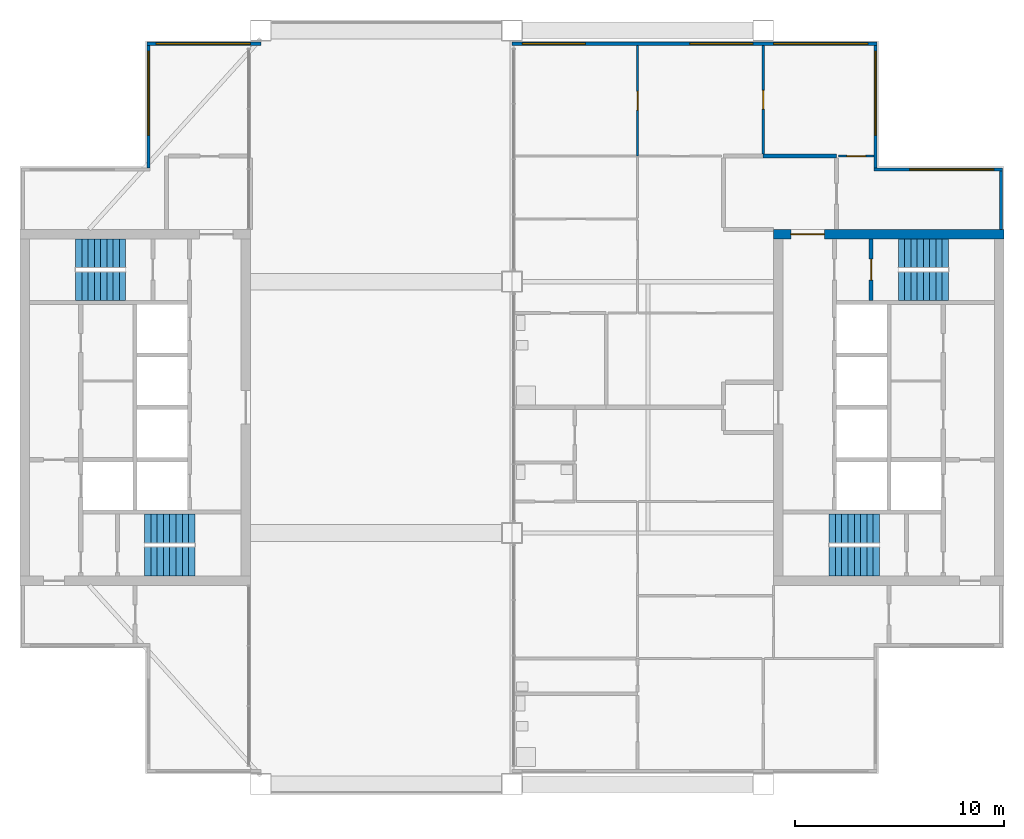
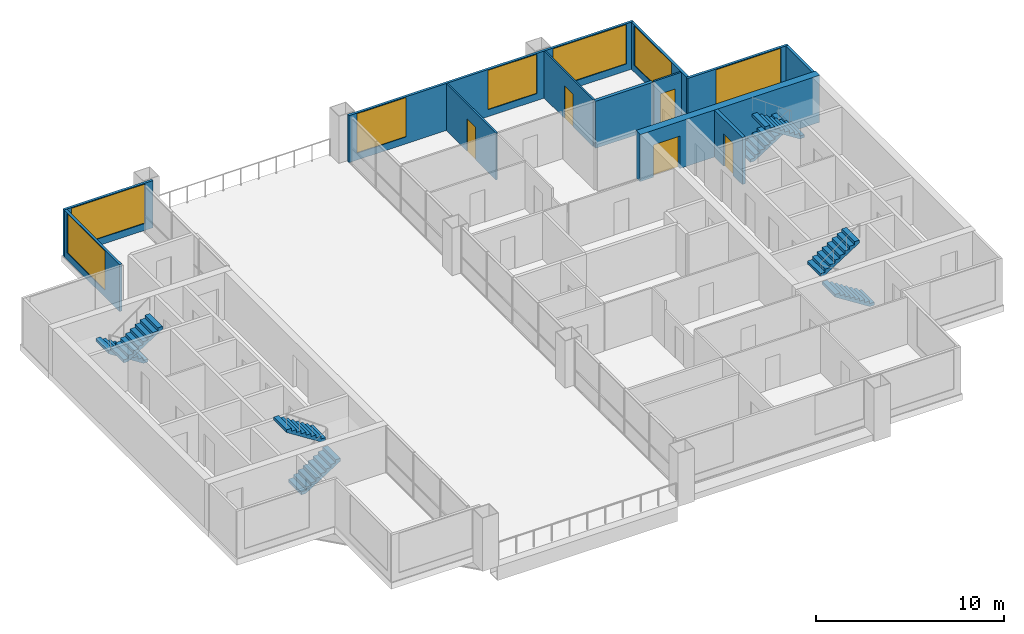
# One storey, part 10 of 12: 12 walls, 8 stair flights, 7 windows, 5 doors, 12 openings, 4 elements without a shape of their own.
"""IFC4 building model written with IfcOpenShell, lengths in metres."""

from ifc_helpers import new_model, si_unit, direction, frame, frame_2d, origin, place, context, subcontext, project, spatial, polyline, rectangle, outline, extrude, material, layer, layer_set, type_object, element, fill, aggregate, save


model = new_model("IFC4")

# Units and contexts
model_context = context("Model", 3, precision=1e-05, world=origin(), true_north=direction((0.0, 1.0)))
body_context = subcontext(model_context, "Body", "Model", "MODEL_VIEW")
ifc_project = project(units=[si_unit("LENGTHUNIT", "METRE"), si_unit("AREAUNIT", "SQUARE_METRE"), si_unit("VOLUMEUNIT", "CUBIC_METRE"), si_unit("PLANEANGLEUNIT", "RADIAN"), si_unit("MASSUNIT", "GRAM", prefix="KILO")], contexts=[model_context])

# Site, building, storey
site_placement = place(None, origin())
site = spatial("IfcSite", under=ifc_project, at=site_placement, CompositionType="ELEMENT")
building_placement = place(site_placement, origin())
building = spatial("IfcBuilding", under=site, at=building_placement, Name="Kitamizu Gate Tower and Museum", CompositionType="ELEMENT")
storey_placement = place(building_placement, frame((0.0, 0.0, 249.0)))
storey = spatial("IfcBuildingStorey", under=building, at=storey_placement, Name="L67", CompositionType="ELEMENT", Elevation=249.0)

# Wall, opening, door
ifc_material_1 = material(Name="Concrete Fc42", Category="concrete")
ifc_layer_1 = layer(ifc_material_1, 0.449951171875)
ifc_layer_set_1 = layer_set([ifc_layer_1], Name="Concrete Fc42")
wall_type_1 = type_object("IfcWallType", Name="Core wall 450", PredefinedType="SHEAR", material=ifc_layer_set_1)
wall_1_placement = place(storey_placement, frame((59.5, 38.27490234375, 0.0), z_axis=(0.0, 0.0, 1.0), x_axis=(-1.0, 0.0, 0.0)))
wall_1 = element("IfcWall", 1, at=wall_1_placement, inside=storey, type_object=wall_type_1, Name="Core wall EN", PredefinedType="SHEAR", context=body_context, shape_type="SweptSolid", body=[
    extrude(rectangle(XDim=11.0, YDim=0.449951171875, at=frame_2d((5.5, 0.0))), origin(), (0.0, 0.0, 1.0), 3.050048828125),
])
opening_1_placement = place(wall_1_placement, frame((8.574951171875, 0.0, 0.0)))
opening_1 = element("IfcOpeningElement", 2, at=opening_1_placement, cuts=wall_1, Name="Opening L67-039", PredefinedType="OPENING", context=body_context, shape_type="SweptSolid", body=[
    extrude(rectangle(XDim=1.60009765625, YDim=2.10009765625, at=frame_2d((0.800048828125, 1.050048828125))), frame((0.0, 0.23486328125, 0.0), z_axis=(0.0, -1.0, 0.0), x_axis=(1.0, 0.0, 0.0)), (0.0, 0.0, 1.0), 0.469970703125),
])
ifc_material_2 = material(Name="Timber door set", Category="wood")
door_type_1 = type_object("IfcDoorType", Name="Entrance door 1600", OperationType="DOUBLE_DOOR_SINGLE_SWING", PredefinedType="DOOR", material=ifc_material_2)
door_1_placement = place(opening_1_placement, origin())
door_1 = element("IfcDoor", 3, at=door_1_placement, inside=storey, type_object=door_type_1, Name="Lobby door L67-039", OperationType="DOUBLE_DOOR_SINGLE_SWING", OverallHeight=2.10009765625, OverallWidth=1.60009765625, PredefinedType="DOOR", context=body_context, shape_type="SweptSolid", body=[
    extrude(rectangle(XDim=1.60009765625, YDim=2.10009765625, at=frame_2d((0.800048828125, 1.050048828125))), frame((0.0, 0.02490234375, 0.0), z_axis=(0.0, -1.0, 0.0), x_axis=(1.0, 0.0, 0.0)), (0.0, 0.0, 1.0), 0.050048828125),
])
fill(opening_1, door_1)

ifc_material_3 = material(Name="Gypsum board on galvanised stud")
ifc_layer_2 = layer(ifc_material_3, 0.10009765625)
ifc_layer_set_2 = layer_set([ifc_layer_2], Name="Gypsum board on galvanised stud")
wall_type_2 = type_object("IfcWallType", Name="Partition 100 NOT RATED", PredefinedType="PARTITIONING", material=ifc_layer_set_2)
wall_2_placement = place(storey_placement, frame((42.0, 42.0, 0.0), z_axis=(0.0, 0.0, 1.0), x_axis=(0.0, 1.0, 0.0)))
wall_2 = element("IfcWall", 4, at=wall_2_placement, inside=storey, type_object=wall_type_2, Name="Partition L67-031", PredefinedType="PARTITIONING", context=body_context, shape_type="SweptSolid", body=[
    extrude(rectangle(XDim=5.280029296875, YDim=0.10009765625, at=frame_2d((2.64013671875, 0.0))), origin(), (0.0, 0.0, 1.0), 3.050048828125),
])
opening_2_placement = place(wall_2_placement, frame((2.18994140625, 0.0, 0.0)))
opening_2 = element("IfcOpeningElement", 5, at=opening_2_placement, cuts=wall_2, Name="Opening L67-017", PredefinedType="OPENING", context=body_context, shape_type="SweptSolid", body=[
    extrude(rectangle(XDim=0.89990234375, YDim=2.10009765625, at=frame_2d((0.449951171875, 1.050048828125))), frame((0.0, 0.06005859375, 0.0), z_axis=(0.0, -1.0, 0.0), x_axis=(1.0, 0.0, 0.0)), (0.0, 0.0, 1.0), 0.1201171875),
])
ifc_material_4 = material(Name="Timber door set", Category="wood")
door_type_2 = type_object("IfcDoorType", Name="Room door 900", OperationType="NOTDEFINED", PredefinedType="DOOR", material=ifc_material_4)
door_2_placement = place(opening_2_placement, origin())
door_2 = element("IfcDoor", 6, at=door_2_placement, inside=storey, type_object=door_type_2, Name="Door L67-017", OperationType="SINGLE_SWING_RIGHT", OverallHeight=2.10009765625, OverallWidth=0.89990234375, PredefinedType="DOOR", context=body_context, shape_type="SweptSolid", body=[
    extrude(rectangle(XDim=0.89990234375, YDim=2.10009765625, at=frame_2d((0.449951171875, 1.050048828125))), frame((0.0, 0.02490234375, 0.0), z_axis=(0.0, -1.0, 0.0), x_axis=(1.0, 0.0, 0.0)), (0.0, 0.0, 1.0), 0.050048828125),
])
fill(opening_2, door_2)

wall_3_placement = place(storey_placement, frame((48.0, 42.10009765625, 0.0), z_axis=(0.0, 0.0, 1.0), x_axis=(0.0, 1.0, 0.0)))
wall_3 = element("IfcWall", 7, at=wall_3_placement, inside=storey, type_object=wall_type_2, Name="Partition L67-033", PredefinedType="PARTITIONING", context=body_context, shape_type="SweptSolid", body=[
    extrude(rectangle(XDim=5.179931640625, YDim=0.10009765625, at=frame_2d((2.58984375, 0.0))), origin(), (0.0, 0.0, 1.0), 3.050048828125),
])
opening_3_placement = place(wall_3_placement, frame((2.139892578125, 0.0, 0.0)))
opening_3 = element("IfcOpeningElement", 8, at=opening_3_placement, cuts=wall_3, Name="Opening L67-014", PredefinedType="OPENING", context=body_context, shape_type="SweptSolid", body=[
    extrude(rectangle(XDim=0.89990234375, YDim=2.10009765625, at=frame_2d((0.449951171875, 1.050048828125))), frame((0.0, 0.06005859375, 0.0), z_axis=(0.0, -1.0, 0.0), x_axis=(1.0, 0.0, 0.0)), (0.0, 0.0, 1.0), 0.1201171875),
])
door_3_placement = place(opening_3_placement, frame((0.89990234375, 0.0, 0.0), x_axis=(-1.0, 0.0, 0.0)))
door_3 = element("IfcDoor", 9, at=door_3_placement, inside=storey, type_object=door_type_2, Name="Door L67-014", OperationType="SINGLE_SWING_RIGHT", OverallHeight=2.10009765625, OverallWidth=0.89990234375, PredefinedType="DOOR", context=body_context, shape_type="SweptSolid", body=[
    extrude(rectangle(XDim=0.89990234375, YDim=2.10009765625, at=frame_2d((0.449951171875, 1.050048828125))), frame((0.0, 0.02490234375, 0.0), z_axis=(0.0, -1.0, 0.0), x_axis=(1.0, 0.0, 0.0)), (0.0, 0.0, 1.0), 0.050048828125),
])
fill(opening_3, door_3)

wall_4_placement = place(storey_placement, frame((51.60009765625, 42.0, 0.0), z_axis=(0.0, 0.0, 1.0), x_axis=(1.0, 0.0, 0.0)))
wall_4 = element("IfcWall", 10, at=wall_4_placement, inside=storey, type_object=wall_type_2, Name="Partition L67-036", PredefinedType="PARTITIONING", context=body_context, shape_type="SweptSolid", body=[
    extrude(rectangle(XDim=1.679931640625, YDim=0.10009765625, at=frame_2d((0.83984375, 0.0))), origin(), (0.0, 0.0, 1.0), 3.050048828125),
])
opening_4_placement = place(wall_4_placement, frame((0.389892578125, 0.0, 0.0)))
opening_4 = element("IfcOpeningElement", 11, at=opening_4_placement, cuts=wall_4, Name="Opening L67-013", PredefinedType="OPENING", context=body_context, shape_type="SweptSolid", body=[
    extrude(rectangle(XDim=0.89990234375, YDim=2.10009765625, at=frame_2d((0.449951171875, 1.050048828125))), frame((0.0, 0.06005859375, 0.0), z_axis=(0.0, -1.0, 0.0), x_axis=(1.0, 0.0, 0.0)), (0.0, 0.0, 1.0), 0.1201171875),
])
door_4_placement = place(opening_4_placement, origin())
door_4 = element("IfcDoor", 12, at=door_4_placement, inside=storey, type_object=door_type_2, Name="Door L67-013", OperationType="SINGLE_SWING_LEFT", OverallHeight=2.10009765625, OverallWidth=0.89990234375, PredefinedType="DOOR", context=body_context, shape_type="SweptSolid", body=[
    extrude(rectangle(XDim=0.89990234375, YDim=2.10009765625, at=frame_2d((0.449951171875, 1.050048828125))), frame((0.0, 0.02490234375, 0.0), z_axis=(0.0, -1.0, 0.0), x_axis=(1.0, 0.0, 0.0)), (0.0, 0.0, 1.0), 0.050048828125),
])
fill(opening_4, door_4)

# Wall
ifc_material_5 = material(Name="Gypsum board on galvanised stud")
ifc_layer_3 = layer(ifc_material_5, 0.199951171875)
ifc_layer_set_3 = layer_set([ifc_layer_3], Name="Gypsum board on galvanised stud")
wall_type_3 = type_object("IfcWallType", Name="Partition 200", PredefinedType="PARTITIONING", material=ifc_layer_set_3)
wall_5_placement = place(storey_placement, frame((48.0, 42.0, 0.0), z_axis=(0.0, 0.0, 1.0), x_axis=(1.0, 0.0, 0.0)))
element("IfcWall", 13, at=wall_5_placement, inside=storey, type_object=wall_type_3, Name="Partition L67-037", PredefinedType="PARTITIONING", context=body_context, shape_type="SweptSolid", body=[
    extrude(rectangle(XDim=3.5, YDim=0.199951171875, at=frame_2d((1.75, 0.0))), origin(), (0.0, 0.0, 1.0), 3.050048828125),
])

# Wall, opening, door
ifc_material_6 = material(Name="Concrete Fc42", Category="concrete")
ifc_layer_4 = layer(ifc_material_6, 0.199951171875)
ifc_layer_set_4 = layer_set([ifc_layer_4], Name="Concrete Fc42")
wall_type_4 = type_object("IfcWallType", Name="Shaft wall 200", PredefinedType="SOLIDWALL", material=ifc_layer_set_4)
wall_6_placement = place(storey_placement, frame((53.14990234375, 35.10009765625, 0.0), z_axis=(0.0, 0.0, 1.0), x_axis=(0.0, 1.0, 0.0)))
wall_6 = element("IfcWall", 14, at=wall_6_placement, inside=storey, type_object=wall_type_4, Name="Shaft wall ENZ", PredefinedType="SOLIDWALL", context=body_context, shape_type="SweptSolid", body=[
    extrude(rectangle(XDim=2.949951171875, YDim=0.199951171875, at=frame_2d((1.47509765625, 0.0))), origin(), (0.0, 0.0, 1.0), 3.050048828125),
])
opening_5_placement = place(wall_6_placement, frame((0.97509765625, 0.0, 0.0)))
opening_5 = element("IfcOpeningElement", 15, at=opening_5_placement, cuts=wall_6, Name="Opening L67-036", PredefinedType="OPENING", context=body_context, shape_type="SweptSolid", body=[
    extrude(rectangle(XDim=1.0, YDim=2.10009765625, at=frame_2d((0.5, 1.050048828125))), frame((0.0, 0.10986328125, 0.0), z_axis=(0.0, -1.0, 0.0), x_axis=(1.0, 0.0, 0.0)), (0.0, 0.0, 1.0), 0.219970703125),
])
ifc_material_7 = material(Name="Hollow metal door set")
door_type_3 = type_object("IfcDoorType", Name="Fire door 1000", OperationType="NOTDEFINED", PredefinedType="DOOR", material=ifc_material_7)
door_5_placement = place(opening_5_placement, frame((1.0, 0.0, 0.0), x_axis=(-1.0, 0.0, 0.0)))
door_5 = element("IfcDoor", 16, at=door_5_placement, inside=storey, type_object=door_type_3, Name="Stair door L67-036", OperationType="SINGLE_SWING_LEFT", OverallHeight=2.10009765625, OverallWidth=1.0, PredefinedType="DOOR", context=body_context, shape_type="SweptSolid", body=[
    extrude(rectangle(XDim=1.0, YDim=2.10009765625, at=frame_2d((0.5, 1.050048828125))), frame((0.0, 0.02490234375, 0.0), z_axis=(0.0, -1.0, 0.0), x_axis=(1.0, 0.0, 0.0)), (0.0, 0.0, 1.0), 0.050048828125),
])
fill(opening_5, door_5)

# Wall
ifc_material_8 = material(Name="Bronze anodised aluminium frame with insulated spandrel and tinted glass", Category="aluminium")
ifc_layer_5 = layer(ifc_material_8, 0.14990234375)
ifc_layer_set_5 = layer_set([ifc_layer_5], Name="Bronze anodised aluminium frame with insulated spandrel and tinted glass")
wall_type_5 = type_object("IfcWallType", Name="WINDOW WALL 150 BRONZE FRAME EI 30", PredefinedType="ELEMENTEDWALL", material=ifc_layer_set_5)
wall_7_placement = place(storey_placement, frame((59.364990234375, 38.5, 0.0), z_axis=(0.0, 0.0, 1.0), x_axis=(0.0, 1.0, 0.0)))
element("IfcWall", 17, at=wall_7_placement, inside=storey, type_object=wall_type_5, Name="Window wall east L67", PredefinedType="ELEMENTEDWALL", context=body_context, shape_type="SweptSolid", body=[
    extrude(rectangle(XDim=2.7900390625, YDim=0.14990234375, at=frame_2d((1.39501953125, 0.0))), origin(), (0.0, 0.0, 1.0), 3.050048828125),
])

# Wall, opening, window
wall_8_placement = place(storey_placement, frame((53.2900390625, 41.364990234375, 0.0), z_axis=(0.0, 0.0, 1.0), x_axis=(1.0, 0.0, 0.0)))
wall_8 = element("IfcWall", 18, at=wall_8_placement, inside=storey, type_object=wall_type_5, Name="Window wall north L67", PredefinedType="ELEMENTEDWALL", context=body_context, shape_type="SweptSolid", body=[
    extrude(rectangle(XDim=6.14990234375, YDim=0.14990234375, at=frame_2d((3.074951171875, 0.0))), origin(), (0.0, 0.0, 1.0), 3.050048828125),
])
opening_6_placement = place(wall_8_placement, frame((1.7099609375, 0.0, 0.449951171875)))
opening_6 = element("IfcOpeningElement", 19, at=opening_6_placement, cuts=wall_8, Name="Opening W16", PredefinedType="OPENING", context=body_context, shape_type="SweptSolid", body=[
    extrude(rectangle(XDim=4.0, YDim=2.550048828125, at=frame_2d((2.0, 1.27490234375))), frame((0.0, 0.0849609375, 0.0), z_axis=(0.0, -1.0, 0.0), x_axis=(1.0, 0.0, 0.0)), (0.0, 0.0, 1.0), 0.169921875),
])
ifc_material_9 = material(Name="Bronze anodised aluminium frame, tinted triple glazing", Category="aluminium")
window_type_1 = type_object("IfcWindowType", Name="WINDOW 4000 x 2550 SILL 450", PartitioningType="SINGLE_PANEL", PredefinedType="WINDOW", material=ifc_material_9)
window_1_placement = place(opening_6_placement, origin())
window_1 = element("IfcWindow", 20, at=window_1_placement, inside=storey, type_object=window_type_1, Name="Window W16 L67", OverallHeight=2.550048828125, OverallWidth=4.0, PartitioningType="SINGLE_PANEL", PredefinedType="WINDOW", context=body_context, shape_type="SweptSolid", body=[
    extrude(rectangle(XDim=4.0, YDim=2.550048828125, at=frame_2d((2.0, 1.27490234375))), frame((0.0, 0.030029296875, 0.0), z_axis=(0.0, -1.0, 0.0), x_axis=(1.0, 0.0, 0.0)), (0.0, 0.0, 1.0), 0.06005859375),
])
fill(opening_6, window_1)

wall_9_placement = place(storey_placement, frame((53.364990234375, 41.43994140625, 0.0), z_axis=(0.0, 0.0, 1.0), x_axis=(0.0, 1.0, 0.0)))
wall_9 = element("IfcWall", 21, at=wall_9_placement, inside=storey, type_object=wall_type_5, Name="Window wall east L67", PredefinedType="ELEMENTEDWALL", context=body_context, shape_type="SweptSolid", body=[
    extrude(rectangle(XDim=5.85009765625, YDim=0.14990234375, at=frame_2d((2.925048828125, 0.0))), origin(), (0.0, 0.0, 1.0), 3.050048828125),
])
opening_7_placement = place(wall_9_placement, frame((1.56005859375, 0.0, 0.449951171875)))
opening_7 = element("IfcOpeningElement", 22, at=opening_7_placement, cuts=wall_9, Name="Opening W16", PredefinedType="OPENING", context=body_context, shape_type="SweptSolid", body=[
    extrude(rectangle(XDim=4.0, YDim=2.550048828125, at=frame_2d((2.0, 1.27490234375))), frame((0.0, 0.0849609375, 0.0), z_axis=(0.0, -1.0, 0.0), x_axis=(1.0, 0.0, 0.0)), (0.0, 0.0, 1.0), 0.169921875),
])
window_2_placement = place(opening_7_placement, origin())
window_2 = element("IfcWindow", 23, at=window_2_placement, inside=storey, type_object=window_type_1, Name="Window W16 L67", OverallHeight=2.550048828125, OverallWidth=4.0, PartitioningType="SINGLE_PANEL", PredefinedType="WINDOW", context=body_context, shape_type="SweptSolid", body=[
    extrude(rectangle(XDim=4.0, YDim=2.550048828125, at=frame_2d((2.0, 1.27490234375))), frame((0.0, 0.030029296875, 0.0), z_axis=(0.0, -1.0, 0.0), x_axis=(1.0, 0.0, 0.0)), (0.0, 0.0, 1.0), 0.06005859375),
])
fill(opening_7, window_2)

wall_10_placement = place(storey_placement, frame((18.56005859375, 47.364990234375, 0.0), z_axis=(0.0, 0.0, 1.0), x_axis=(1.0, 0.0, 0.0)))
wall_10 = element("IfcWall", 24, at=wall_10_placement, inside=storey, type_object=wall_type_5, Name="Window wall north L67", PredefinedType="ELEMENTEDWALL", context=body_context, shape_type="SweptSolid", body=[
    extrude(rectangle(XDim=5.43994140625, YDim=0.14990234375, at=frame_2d((2.719970703125, 0.0))), origin(), (0.0, 0.0, 1.0), 3.050048828125),
])
opening_8_placement = place(wall_10_placement, frame((0.43994140625, 0.0, 0.449951171875)))
opening_8 = element("IfcOpeningElement", 25, at=opening_8_placement, cuts=wall_10, Name="Opening W15", PredefinedType="OPENING", context=body_context, shape_type="SweptSolid", body=[
    extrude(rectangle(XDim=4.5, YDim=2.550048828125, at=frame_2d((2.25, 1.27490234375))), frame((0.0, 0.0849609375, 0.0), z_axis=(0.0, -1.0, 0.0), x_axis=(1.0, 0.0, 0.0)), (0.0, 0.0, 1.0), 0.169921875),
])
ifc_material_10 = material(Name="Bronze anodised aluminium frame, tinted triple glazing", Category="aluminium")
window_type_2 = type_object("IfcWindowType", Name="WINDOW 4500 x 2550 SILL 450", PartitioningType="SINGLE_PANEL", PredefinedType="WINDOW", material=ifc_material_10)
window_3_placement = place(opening_8_placement, origin())
window_3 = element("IfcWindow", 26, at=window_3_placement, inside=storey, type_object=window_type_2, Name="Window W15 L67", OverallHeight=2.550048828125, OverallWidth=4.5, PartitioningType="SINGLE_PANEL", PredefinedType="WINDOW", context=body_context, shape_type="SweptSolid", body=[
    extrude(rectangle(XDim=4.5, YDim=2.550048828125, at=frame_2d((2.25, 1.27490234375))), frame((0.0, 0.030029296875, 0.0), z_axis=(0.0, -1.0, 0.0), x_axis=(1.0, 0.0, 0.0)), (0.0, 0.0, 1.0), 0.06005859375),
])
fill(opening_8, window_3)

# Wall, openings, windows
wall_11_placement = place(storey_placement, frame((36.0, 47.364990234375, 0.0), z_axis=(0.0, 0.0, 1.0), x_axis=(1.0, 0.0, 0.0)))
wall_11 = element("IfcWall", 27, at=wall_11_placement, inside=storey, type_object=wall_type_5, Name="Window wall north L67", PredefinedType="ELEMENTEDWALL", context=body_context, shape_type="SweptSolid", body=[
    extrude(rectangle(XDim=17.43994140625, YDim=0.14990234375, at=frame_2d((8.719970703125, 0.0))), origin(), (0.0, 0.0, 1.0), 3.050048828125),
])
opening_9_placement = place(wall_11_placement, frame((0.5, 0.0, 0.449951171875)))
opening_9 = element("IfcOpeningElement", 28, at=opening_9_placement, cuts=wall_11, Name="Opening W33", PredefinedType="OPENING", context=body_context, shape_type="SweptSolid", body=[
    extrude(rectangle(XDim=3.0, YDim=2.550048828125, at=frame_2d((1.5, 1.27490234375))), frame((0.0, 0.0849609375, 0.0), z_axis=(0.0, -1.0, 0.0), x_axis=(1.0, 0.0, 0.0)), (0.0, 0.0, 1.0), 0.169921875),
])
opening_10_placement = place(wall_11_placement, frame((8.5, 0.0, 0.449951171875)))
opening_10 = element("IfcOpeningElement", 29, at=opening_10_placement, cuts=wall_11, Name="Opening W33", PredefinedType="OPENING", context=body_context, shape_type="SweptSolid", body=[
    extrude(rectangle(XDim=3.0, YDim=2.550048828125, at=frame_2d((1.5, 1.27490234375))), frame((0.0, 0.0849609375, 0.0), z_axis=(0.0, -1.0, 0.0), x_axis=(1.0, 0.0, 0.0)), (0.0, 0.0, 1.0), 0.169921875),
])
opening_11_placement = place(wall_11_placement, frame((12.5, 0.0, 0.449951171875)))
opening_11 = element("IfcOpeningElement", 30, at=opening_11_placement, cuts=wall_11, Name="Opening W15", PredefinedType="OPENING", context=body_context, shape_type="SweptSolid", body=[
    extrude(rectangle(XDim=4.5, YDim=2.550048828125, at=frame_2d((2.25, 1.27490234375))), frame((0.0, 0.0849609375, 0.0), z_axis=(0.0, -1.0, 0.0), x_axis=(1.0, 0.0, 0.0)), (0.0, 0.0, 1.0), 0.169921875),
])
ifc_material_11 = material(Name="Bronze anodised aluminium frame, tinted triple glazing", Category="aluminium")
window_type_3 = type_object("IfcWindowType", Name="WINDOW 3000 x 2550 SILL 450", PartitioningType="SINGLE_PANEL", PredefinedType="WINDOW", material=ifc_material_11)
window_4_placement = place(opening_9_placement, origin())
window_4 = element("IfcWindow", 31, at=window_4_placement, inside=storey, type_object=window_type_3, Name="Window W33 L67", OverallHeight=2.550048828125, OverallWidth=3.0, PartitioningType="SINGLE_PANEL", PredefinedType="WINDOW", context=body_context, shape_type="SweptSolid", body=[
    extrude(rectangle(XDim=3.0, YDim=2.550048828125, at=frame_2d((1.5, 1.27490234375))), frame((0.0, 0.030029296875, 0.0), z_axis=(0.0, -1.0, 0.0), x_axis=(1.0, 0.0, 0.0)), (0.0, 0.0, 1.0), 0.06005859375),
])
fill(opening_9, window_4)
window_5_placement = place(opening_10_placement, origin())
window_5 = element("IfcWindow", 32, at=window_5_placement, inside=storey, type_object=window_type_3, Name="Window W33 L67", OverallHeight=2.550048828125, OverallWidth=3.0, PartitioningType="SINGLE_PANEL", PredefinedType="WINDOW", context=body_context, shape_type="SweptSolid", body=[
    extrude(rectangle(XDim=3.0, YDim=2.550048828125, at=frame_2d((1.5, 1.27490234375))), frame((0.0, 0.030029296875, 0.0), z_axis=(0.0, -1.0, 0.0), x_axis=(1.0, 0.0, 0.0)), (0.0, 0.0, 1.0), 0.06005859375),
])
fill(opening_10, window_5)
window_6_placement = place(opening_11_placement, origin())
window_6 = element("IfcWindow", 33, at=window_6_placement, inside=storey, type_object=window_type_2, Name="Window W15 L67", OverallHeight=2.550048828125, OverallWidth=4.5, PartitioningType="SINGLE_PANEL", PredefinedType="WINDOW", context=body_context, shape_type="SweptSolid", body=[
    extrude(rectangle(XDim=4.5, YDim=2.550048828125, at=frame_2d((2.25, 1.27490234375))), frame((0.0, 0.030029296875, 0.0), z_axis=(0.0, -1.0, 0.0), x_axis=(1.0, 0.0, 0.0)), (0.0, 0.0, 1.0), 0.06005859375),
])
fill(opening_11, window_6)

# Wall, opening, window
wall_12_placement = place(storey_placement, frame((18.635009765625, 41.43994140625, 0.0), z_axis=(0.0, 0.0, 1.0), x_axis=(0.0, 1.0, 0.0)))
wall_12 = element("IfcWall", 34, at=wall_12_placement, inside=storey, type_object=wall_type_5, Name="Window wall west L67", PredefinedType="ELEMENTEDWALL", context=body_context, shape_type="SweptSolid", body=[
    extrude(rectangle(XDim=5.85009765625, YDim=0.14990234375, at=frame_2d((2.925048828125, 0.0))), origin(), (0.0, 0.0, 1.0), 3.050048828125),
])
opening_12_placement = place(wall_12_placement, frame((1.56005859375, 0.0, 0.449951171875)))
opening_12 = element("IfcOpeningElement", 35, at=opening_12_placement, cuts=wall_12, Name="Opening W16", PredefinedType="OPENING", context=body_context, shape_type="SweptSolid", body=[
    extrude(rectangle(XDim=4.0, YDim=2.550048828125, at=frame_2d((2.0, 1.27490234375))), frame((0.0, 0.0849609375, 0.0), z_axis=(0.0, -1.0, 0.0), x_axis=(1.0, 0.0, 0.0)), (0.0, 0.0, 1.0), 0.169921875),
])
window_7_placement = place(opening_12_placement, origin())
window_7 = element("IfcWindow", 36, at=window_7_placement, inside=storey, type_object=window_type_1, Name="Window W16 L67", OverallHeight=2.550048828125, OverallWidth=4.0, PartitioningType="SINGLE_PANEL", PredefinedType="WINDOW", context=body_context, shape_type="SweptSolid", body=[
    extrude(rectangle(XDim=4.0, YDim=2.550048828125, at=frame_2d((2.0, 1.27490234375))), frame((0.0, 0.030029296875, 0.0), z_axis=(0.0, -1.0, 0.0), x_axis=(1.0, 0.0, 0.0)), (0.0, 0.0, 1.0), 0.06005859375),
])
fill(opening_12, window_7)

# Stair, stair flights
ifc_material_12 = material(Name="Concrete Fc42", Category="concrete")
stair_type = type_object("IfcStairType", Name="Exit stair 1375 wide 192 rise 300 going", PredefinedType="HALF_TURN_STAIR", material=ifc_material_12)
stair_1_placement = place(storey_placement, origin())
stair_1 = element("IfcStair", 37, at=stair_1_placement, inside=storey, type_object=stair_type, Name="Exit stair ST1", PredefinedType="HALF_TURN_STAIR")
ifc_material_13 = material(Name="Concrete Fc42", Category="concrete")
stair_flight_type = type_object("IfcStairFlightType", Name="Stair flight 1375 wide 192 rise 300 going", PredefinedType="STRAIGHT", material=ifc_material_13)
stair_flight_1_placement = place(storey_placement, frame((18.449951171875, 22.637451171875, 0.0), z_axis=(0.0, 0.0, 1.0), x_axis=(1.0, 0.0, 0.0)))
stair_flight_1 = element("IfcStairFlight", 38, at=stair_flight_1_placement, type_object=stair_flight_type, Name="ST1 flight 1", NumberOfRisers=9, NumberOfTreads=8, PredefinedType="STRAIGHT", RiserHeight=0.191666667, TreadLength=0.3, context=body_context, shape_type="SweptSolid", body=[
    extrude(outline(polyline([(0.0, 0.0), (0.0, 0.191650390625), (0.300048828125, 0.191650390625), (0.300048828125, 0.38330078125), (0.60009765625, 0.38330078125), (0.60009765625, 0.574951171875), (0.89990234375, 0.574951171875), (0.89990234375, 0.7666015625), (1.199951171875, 0.7666015625), (1.199951171875, 0.958251953125), (1.5, 0.958251953125), (1.5, 1.14990234375), (1.800048828125, 1.14990234375), (1.800048828125, 1.341552734375), (2.10009765625, 1.341552734375), (2.10009765625, 1.533447265625), (2.39990234375, 1.533447265625), (2.39990234375, 1.72509765625), (2.39990234375, 1.35546875), (0.2783203125, 0.0), (0.0, 0.0)])), frame((0.0, 0.6875, 0.0), z_axis=(0.0, -1.0, 0.0), x_axis=(1.0, 0.0, 0.0)), (0.0, 0.0, 1.0), 1.375),
])
stair_flight_2_placement = place(storey_placement, frame((20.85009765625, 24.21240234375, 1.72509765625), z_axis=(0.0, 0.0, 1.0), x_axis=(-1.0, 0.0, 0.0)))
stair_flight_2 = element("IfcStairFlight", 39, at=stair_flight_2_placement, type_object=stair_flight_type, Name="ST1 flight 2", NumberOfRisers=9, NumberOfTreads=8, PredefinedType="STRAIGHT", RiserHeight=0.191666667, TreadLength=0.3, context=body_context, shape_type="SweptSolid", body=[
    extrude(outline(polyline([(0.0, 0.0), (0.0, 0.191650390625), (0.300048828125, 0.191650390625), (0.300048828125, 0.38330078125), (0.60009765625, 0.38330078125), (0.60009765625, 0.574951171875), (0.89990234375, 0.574951171875), (0.89990234375, 0.7666015625), (1.199951171875, 0.7666015625), (1.199951171875, 0.958251953125), (1.5, 0.958251953125), (1.5, 1.14990234375), (1.800048828125, 1.14990234375), (1.800048828125, 1.341552734375), (2.10009765625, 1.341552734375), (2.10009765625, 1.533447265625), (2.39990234375, 1.533447265625), (2.39990234375, 1.72509765625), (2.39990234375, 1.35546875), (0.2783203125, 0.0), (0.0, 0.0)])), frame((0.0, 0.6875, 0.0), z_axis=(0.0, -1.0, 0.0), x_axis=(1.0, 0.0, 0.0)), (0.0, 0.0, 1.0), 1.375),
])
aggregate(stair_1, [stair_flight_1, stair_flight_2])

stair_2_placement = place(storey_placement, origin())
stair_2 = element("IfcStair", 40, at=stair_2_placement, inside=storey, type_object=stair_type, Name="Exit stair ST2", PredefinedType="HALF_TURN_STAIR")
stair_flight_3_placement = place(storey_placement, frame((17.550048828125, 37.362548828125, 0.0), z_axis=(0.0, 0.0, 1.0), x_axis=(-1.0, 0.0, 0.0)))
stair_flight_3 = element("IfcStairFlight", 41, at=stair_flight_3_placement, type_object=stair_flight_type, Name="ST2 flight 1", NumberOfRisers=9, NumberOfTreads=8, PredefinedType="STRAIGHT", RiserHeight=0.191666667, TreadLength=0.3, context=body_context, shape_type="SweptSolid", body=[
    extrude(outline(polyline([(0.0, 0.0), (0.0, 0.191650390625), (0.300048828125, 0.191650390625), (0.300048828125, 0.38330078125), (0.60009765625, 0.38330078125), (0.60009765625, 0.574951171875), (0.89990234375, 0.574951171875), (0.89990234375, 0.7666015625), (1.199951171875, 0.7666015625), (1.199951171875, 0.958251953125), (1.5, 0.958251953125), (1.5, 1.14990234375), (1.800048828125, 1.14990234375), (1.800048828125, 1.341552734375), (2.10009765625, 1.341552734375), (2.10009765625, 1.533447265625), (2.39990234375, 1.533447265625), (2.39990234375, 1.72509765625), (2.39990234375, 1.35546875), (0.2783203125, 0.0), (0.0, 0.0)])), frame((0.0, 0.6875, 0.0), z_axis=(0.0, -1.0, 0.0), x_axis=(1.0, 0.0, 0.0)), (0.0, 0.0, 1.0), 1.375),
])
stair_flight_4_placement = place(storey_placement, frame((15.14990234375, 35.78759765625, 1.72509765625), z_axis=(0.0, 0.0, 1.0), x_axis=(1.0, 0.0, 0.0)))
stair_flight_4 = element("IfcStairFlight", 42, at=stair_flight_4_placement, type_object=stair_flight_type, Name="ST2 flight 2", NumberOfRisers=9, NumberOfTreads=8, PredefinedType="STRAIGHT", RiserHeight=0.191666667, TreadLength=0.3, context=body_context, shape_type="SweptSolid", body=[
    extrude(outline(polyline([(0.0, 0.0), (0.0, 0.191650390625), (0.300048828125, 0.191650390625), (0.300048828125, 0.38330078125), (0.60009765625, 0.38330078125), (0.60009765625, 0.574951171875), (0.89990234375, 0.574951171875), (0.89990234375, 0.7666015625), (1.199951171875, 0.7666015625), (1.199951171875, 0.958251953125), (1.5, 0.958251953125), (1.5, 1.14990234375), (1.800048828125, 1.14990234375), (1.800048828125, 1.341552734375), (2.10009765625, 1.341552734375), (2.10009765625, 1.533447265625), (2.39990234375, 1.533447265625), (2.39990234375, 1.72509765625), (2.39990234375, 1.35546875), (0.2783203125, 0.0), (0.0, 0.0)])), frame((0.0, 0.6875, 0.0), z_axis=(0.0, -1.0, 0.0), x_axis=(1.0, 0.0, 0.0)), (0.0, 0.0, 1.0), 1.375),
])
aggregate(stair_2, [stair_flight_3, stair_flight_4])

stair_3_placement = place(storey_placement, origin())
stair_3 = element("IfcStair", 43, at=stair_3_placement, inside=storey, type_object=stair_type, Name="Exit stair ST3", PredefinedType="HALF_TURN_STAIR")
stair_flight_5_placement = place(storey_placement, frame((53.550048828125, 22.637451171875, 0.0), z_axis=(0.0, 0.0, 1.0), x_axis=(-1.0, 0.0, 0.0)))
stair_flight_5 = element("IfcStairFlight", 44, at=stair_flight_5_placement, type_object=stair_flight_type, Name="ST3 flight 1", NumberOfRisers=9, NumberOfTreads=8, PredefinedType="STRAIGHT", RiserHeight=0.191666667, TreadLength=0.3, context=body_context, shape_type="SweptSolid", body=[
    extrude(outline(polyline([(0.0, 0.0), (0.0, 0.191650390625), (0.300048828125, 0.191650390625), (0.300048828125, 0.38330078125), (0.60009765625, 0.38330078125), (0.60009765625, 0.574951171875), (0.89990234375, 0.574951171875), (0.89990234375, 0.7666015625), (1.199951171875, 0.7666015625), (1.199951171875, 0.958251953125), (1.5, 0.958251953125), (1.5, 1.14990234375), (1.800048828125, 1.14990234375), (1.800048828125, 1.341552734375), (2.10009765625, 1.341552734375), (2.10009765625, 1.533447265625), (2.39990234375, 1.533447265625), (2.39990234375, 1.72509765625), (2.39990234375, 1.35546875), (0.2783203125, 0.0), (0.0, 0.0)])), frame((0.0, 0.6875, 0.0), z_axis=(0.0, -1.0, 0.0), x_axis=(1.0, 0.0, 0.0)), (0.0, 0.0, 1.0), 1.375),
])
stair_flight_6_placement = place(storey_placement, frame((51.14990234375, 24.21240234375, 1.72509765625), z_axis=(0.0, 0.0, 1.0), x_axis=(1.0, 0.0, 0.0)))
stair_flight_6 = element("IfcStairFlight", 45, at=stair_flight_6_placement, type_object=stair_flight_type, Name="ST3 flight 2", NumberOfRisers=9, NumberOfTreads=8, PredefinedType="STRAIGHT", RiserHeight=0.191666667, TreadLength=0.3, context=body_context, shape_type="SweptSolid", body=[
    extrude(outline(polyline([(0.0, 0.0), (0.0, 0.191650390625), (0.300048828125, 0.191650390625), (0.300048828125, 0.38330078125), (0.60009765625, 0.38330078125), (0.60009765625, 0.574951171875), (0.89990234375, 0.574951171875), (0.89990234375, 0.7666015625), (1.199951171875, 0.7666015625), (1.199951171875, 0.958251953125), (1.5, 0.958251953125), (1.5, 1.14990234375), (1.800048828125, 1.14990234375), (1.800048828125, 1.341552734375), (2.10009765625, 1.341552734375), (2.10009765625, 1.533447265625), (2.39990234375, 1.533447265625), (2.39990234375, 1.72509765625), (2.39990234375, 1.35546875), (0.2783203125, 0.0), (0.0, 0.0)])), frame((0.0, 0.6875, 0.0), z_axis=(0.0, -1.0, 0.0), x_axis=(1.0, 0.0, 0.0)), (0.0, 0.0, 1.0), 1.375),
])
aggregate(stair_3, [stair_flight_5, stair_flight_6])

stair_4_placement = place(storey_placement, origin())
stair_4 = element("IfcStair", 46, at=stair_4_placement, inside=storey, type_object=stair_type, Name="Exit stair ST4", PredefinedType="HALF_TURN_STAIR")
stair_flight_7_placement = place(storey_placement, frame((54.449951171875, 37.362548828125, 0.0), z_axis=(0.0, 0.0, 1.0), x_axis=(1.0, 0.0, 0.0)))
stair_flight_7 = element("IfcStairFlight", 47, at=stair_flight_7_placement, type_object=stair_flight_type, Name="ST4 flight 1", NumberOfRisers=9, NumberOfTreads=8, PredefinedType="STRAIGHT", RiserHeight=0.191666667, TreadLength=0.3, context=body_context, shape_type="SweptSolid", body=[
    extrude(outline(polyline([(0.0, 0.0), (0.0, 0.191650390625), (0.300048828125, 0.191650390625), (0.300048828125, 0.38330078125), (0.60009765625, 0.38330078125), (0.60009765625, 0.574951171875), (0.89990234375, 0.574951171875), (0.89990234375, 0.7666015625), (1.199951171875, 0.7666015625), (1.199951171875, 0.958251953125), (1.5, 0.958251953125), (1.5, 1.14990234375), (1.800048828125, 1.14990234375), (1.800048828125, 1.341552734375), (2.10009765625, 1.341552734375), (2.10009765625, 1.533447265625), (2.39990234375, 1.533447265625), (2.39990234375, 1.72509765625), (2.39990234375, 1.35546875), (0.2783203125, 0.0), (0.0, 0.0)])), frame((0.0, 0.6875, 0.0), z_axis=(0.0, -1.0, 0.0), x_axis=(1.0, 0.0, 0.0)), (0.0, 0.0, 1.0), 1.375),
])
stair_flight_8_placement = place(storey_placement, frame((56.85009765625, 35.78759765625, 1.72509765625), z_axis=(0.0, 0.0, 1.0), x_axis=(-1.0, 0.0, 0.0)))
stair_flight_8 = element("IfcStairFlight", 48, at=stair_flight_8_placement, type_object=stair_flight_type, Name="ST4 flight 2", NumberOfRisers=9, NumberOfTreads=8, PredefinedType="STRAIGHT", RiserHeight=0.191666667, TreadLength=0.3, context=body_context, shape_type="SweptSolid", body=[
    extrude(outline(polyline([(0.0, 0.0), (0.0, 0.191650390625), (0.300048828125, 0.191650390625), (0.300048828125, 0.38330078125), (0.60009765625, 0.38330078125), (0.60009765625, 0.574951171875), (0.89990234375, 0.574951171875), (0.89990234375, 0.7666015625), (1.199951171875, 0.7666015625), (1.199951171875, 0.958251953125), (1.5, 0.958251953125), (1.5, 1.14990234375), (1.800048828125, 1.14990234375), (1.800048828125, 1.341552734375), (2.10009765625, 1.341552734375), (2.10009765625, 1.533447265625), (2.39990234375, 1.533447265625), (2.39990234375, 1.72509765625), (2.39990234375, 1.35546875), (0.2783203125, 0.0), (0.0, 0.0)])), frame((0.0, 0.6875, 0.0), z_axis=(0.0, -1.0, 0.0), x_axis=(1.0, 0.0, 0.0)), (0.0, 0.0, 1.0), 1.375),
])
aggregate(stair_4, [stair_flight_7, stair_flight_8])

save(model, "model.ifc")
